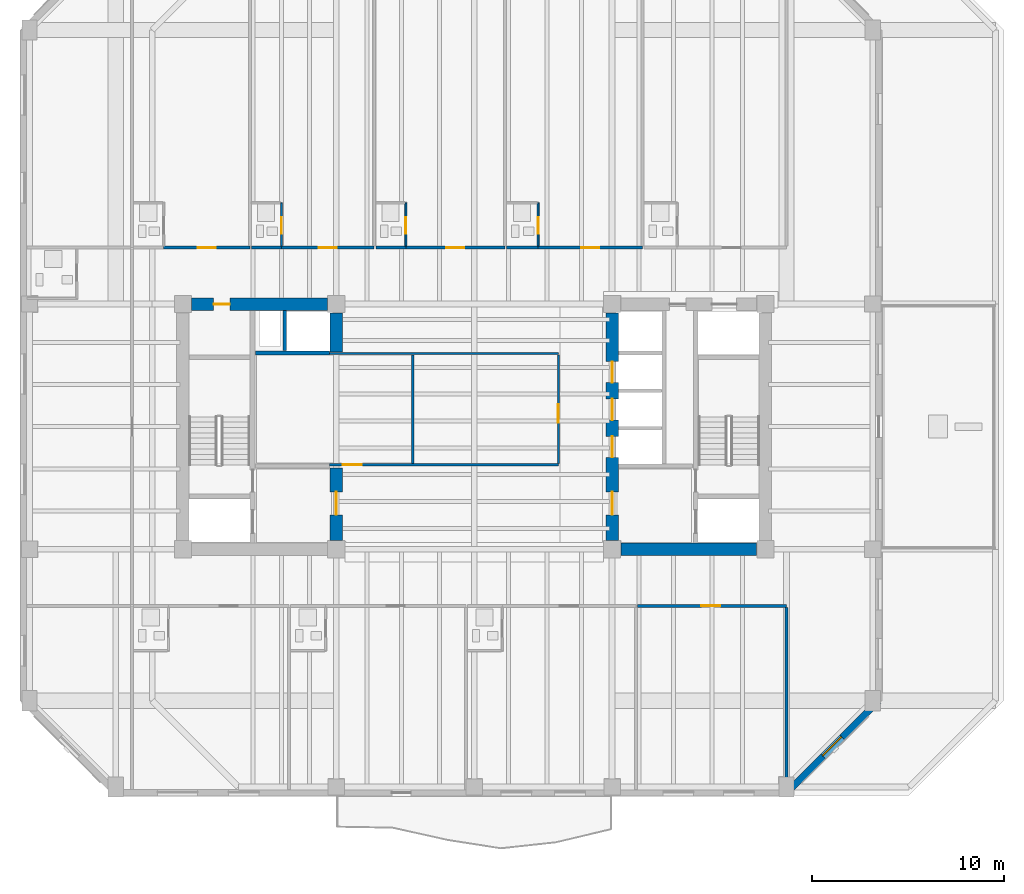
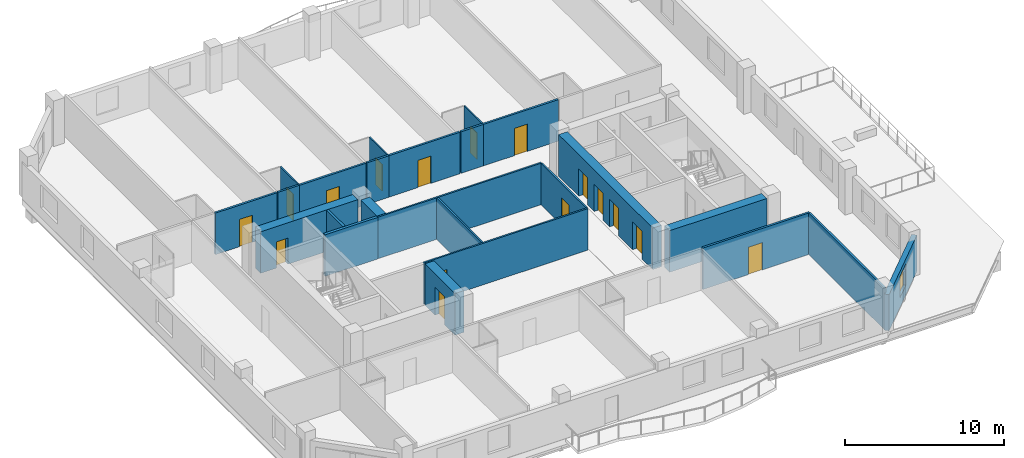
# One storey, part 4 of 11: 24 walls, 16 doors, 1 window, 17 openings.
"""IFC4 building model written with IfcOpenShell, lengths in metres."""

from ifc_helpers import new_model, si_unit, direction, frame, frame_2d, origin, place, context, subcontext, project, spatial, rectangle, extrude, material, layer, layer_set, type_object, element, fill, save


model = new_model("IFC4")

# Units and contexts
model_context = context("Model", 3, precision=1e-05, world=origin(), true_north=direction((0.0, 1.0)))
body_context = subcontext(model_context, "Body", "Model", "MODEL_VIEW")
ifc_project = project(units=[si_unit("LENGTHUNIT", "METRE"), si_unit("AREAUNIT", "SQUARE_METRE"), si_unit("VOLUMEUNIT", "CUBIC_METRE"), si_unit("PLANEANGLEUNIT", "RADIAN"), si_unit("MASSUNIT", "GRAM", prefix="KILO")], contexts=[model_context])

# Site, building, storey
site_placement = place(None, origin())
site = spatial("IfcSite", under=ifc_project, at=site_placement, CompositionType="ELEMENT")
building_placement = place(site_placement, origin())
building = spatial("IfcBuilding", under=site, at=building_placement, Name="Kranthara Brick Stack", CompositionType="ELEMENT")
storey_placement = place(building_placement, frame((0.0, 0.0, 183.300048828125)))
storey = spatial("IfcBuildingStorey", under=building, at=storey_placement, Name="L47", CompositionType="ELEMENT", Elevation=183.300048828125)

# Wall, opening, window
ifc_material_1 = material(Name="Kiln-fired clay brick masonry M15", Category="masonry")
ifc_layer_1 = layer(ifc_material_1, 0.35009765625)
ifc_layer_set_1 = layer_set([ifc_layer_1], Name="Kiln-fired clay brick masonry M15")
wall_type_1 = type_object("IfcWallType", Name="WL-BRK-SPND-350", PredefinedType="STANDARD", material=ifc_layer_set_1)
wall_1_placement = place(storey_placement, frame((49.10498046875, 12.89990234375, 0.0), z_axis=(0.0, 0.0, 1.0), x_axis=(-0.707106781187, -0.707106781187, 0.0)))
wall_1 = element("IfcWall", 1, at=wall_1_placement, inside=storey, type_object=wall_type_1, Name="L47 Exterior Brick Facade Wall SE 1", PredefinedType="STANDARD", context=body_context, shape_type="SweptSolid", body=[
    extrude(rectangle(XDim=6.795166015625, YDim=0.35009765625, at=frame_2d((3.3974609375, 0.0))), origin(), (0.0, 0.0, 1.0), 2.784912109375),
])
opening_1_placement = place(wall_1_placement, frame((2.697998046875, 0.0, 0.75)))
opening_1 = element("IfcOpeningElement", 2, at=opening_1_placement, cuts=wall_1, Name="Opening WN10", PredefinedType="OPENING", context=body_context, shape_type="SweptSolid", body=[
    extrude(rectangle(XDim=1.39990234375, YDim=1.64990234375, at=frame_2d((0.699951171875, 0.824951171875))), frame((0.0, 0.18505859375, 0.0), z_axis=(0.0, -1.0, 0.0), x_axis=(1.0, 0.0, 0.0)), (0.0, 0.0, 1.0), 0.3701171875),
])
ifc_material_2 = material(Name="Double-glazed low-E solar control glass", Category="glass")
window_type = type_object("IfcWindowType", Name="WN-CHM-1400x1750", PartitioningType="SINGLE_PANEL", PredefinedType="WINDOW", material=ifc_material_2)
window_placement = place(opening_1_placement, origin())
window = element("IfcWindow", 3, at=window_placement, inside=storey, type_object=window_type, Name="L47 SE Chamfer Corner Window", OverallHeight=1.64990234375, OverallWidth=1.39990234375, PartitioningType="SINGLE_PANEL", PredefinedType="WINDOW", context=body_context, shape_type="SweptSolid", body=[
    extrude(rectangle(XDim=1.39990234375, YDim=1.64990234375, at=frame_2d((0.699951171875, 0.824951171875))), frame((0.0, -0.010009765625, 0.0), z_axis=(0.0, -1.0, 0.0), x_axis=(1.0, 0.0, 0.0)), (0.0, 0.0, 1.0), 0.06005859375),
])
fill(opening_1, window)

# Wall, opening, door
ifc_material_3 = material(Name="Concrete C60/75", Category="concrete")
ifc_layer_2 = layer(ifc_material_3, 0.64990234375)
ifc_layer_set_2 = layer_set([ifc_layer_2], Name="Concrete C60/75")
wall_type_2 = type_object("IfcWallType", Name="WL-CORE-650", PredefinedType="SHEAR", material=ifc_layer_set_2)
wall_2_placement = place(storey_placement, frame((13.2548828125, 33.60009765625, 0.0), z_axis=(0.0, 0.0, 1.0), x_axis=(1.0, 0.0, 0.0)))
wall_2 = element("IfcWall", 4, at=wall_2_placement, inside=storey, type_object=wall_type_2, Name="L47 West Core Shear Wall North", PredefinedType="SHEAR", context=body_context, shape_type="SweptSolid", body=[
    extrude(rectangle(XDim=7.090087890625, YDim=0.64990234375, at=frame_2d((3.544921875, 0.0))), origin(), (0.0, 0.0, 1.0), 3.199951171875),
])
opening_2_placement = place(wall_2_placement, frame((1.14501953125, 0.0, 0.0)))
opening_2 = element("IfcOpeningElement", 5, at=opening_2_placement, cuts=wall_2, Name="Opening D10", PredefinedType="OPENING", context=body_context, shape_type="SweptSolid", body=[
    extrude(rectangle(XDim=0.85009765625, YDim=2.02001953125, at=frame_2d((0.425048828125, 1.010009765625))), frame((0.0, 0.3349609375, 0.0), z_axis=(0.0, -1.0, 0.0), x_axis=(1.0, 0.0, 0.0)), (0.0, 0.0, 1.0), 0.669921875),
])
ifc_material_4 = material(Name="Solid-core hardwood timber leaf in steel frame", Category="steel")
door_type_1 = type_object("IfcDoorType", Name="DR-RSR-850", OperationType="NOTDEFINED", PredefinedType="DOOR", material=ifc_material_4)
door_1_placement = place(opening_2_placement, origin())
door_1 = element("IfcDoor", 6, at=door_1_placement, inside=storey, type_object=door_type_1, Name="L47 West Core Service Door 1", OperationType="SINGLE_SWING_LEFT", OverallHeight=2.02001953125, OverallWidth=0.85009765625, PredefinedType="DOOR", context=body_context, shape_type="SweptSolid", body=[
    extrude(rectangle(XDim=0.85009765625, YDim=2.02001953125, at=frame_2d((0.425048828125, 1.010009765625))), frame((0.0, 0.02490234375, 0.0), z_axis=(0.0, -1.0, 0.0), x_axis=(1.0, 0.0, 0.0)), (0.0, 0.0, 1.0), 0.050048828125),
])
fill(opening_2, door_1)

wall_3_placement = place(storey_placement, frame((20.800048828125, 21.2548828125, 0.0), z_axis=(0.0, 0.0, 1.0), x_axis=(0.0, 1.0, 0.0)))
wall_3 = element("IfcWall", 7, at=wall_3_placement, inside=storey, type_object=wall_type_2, Name="L47 West Core Lobby Shear Wall", PredefinedType="SHEAR", context=body_context, shape_type="SweptSolid", body=[
    extrude(rectangle(XDim=3.795166015625, YDim=0.64990234375, at=frame_2d((1.8974609375, 0.0))), origin(), (0.0, 0.0, 1.0), 3.199951171875),
])
opening_3_placement = place(wall_3_placement, frame((1.344970703125, 0.0, 0.0)))
opening_3 = element("IfcOpeningElement", 8, at=opening_3_placement, cuts=wall_3, Name="Opening D06", PredefinedType="OPENING", context=body_context, shape_type="SweptSolid", body=[
    extrude(rectangle(XDim=1.199951171875, YDim=2.14990234375, at=frame_2d((0.60009765625, 1.074951171875))), frame((0.0, 0.3349609375, 0.0), z_axis=(0.0, -1.0, 0.0), x_axis=(1.0, 0.0, 0.0)), (0.0, 0.0, 1.0), 0.669921875),
])
ifc_material_5 = material(Name="Solid-core hardwood timber leaf in steel frame", Category="steel")
door_type_2 = type_object("IfcDoorType", Name="DR-FFL-1200", OperationType="NOTDEFINED", PredefinedType="DOOR", material=ifc_material_5)
door_2_placement = place(opening_3_placement, origin())
door_2 = element("IfcDoor", 9, at=door_2_placement, inside=storey, type_object=door_type_2, Name="L47 West Firefighting Lobby Door", OperationType="SINGLE_SWING_LEFT", OverallHeight=2.14990234375, OverallWidth=1.199951171875, PredefinedType="DOOR", context=body_context, shape_type="SweptSolid", body=[
    extrude(rectangle(XDim=1.199951171875, YDim=2.14990234375, at=frame_2d((0.60009765625, 1.074951171875))), frame((0.0, 0.02490234375, 0.0), z_axis=(0.0, -1.0, 0.0), x_axis=(1.0, 0.0, 0.0)), (0.0, 0.0, 1.0), 0.050048828125),
])
fill(opening_3, door_2)

# Walls
wall_4_placement = place(storey_placement, frame((20.800048828125, 31.10009765625, 0.0), z_axis=(0.0, 0.0, 1.0), x_axis=(0.0, 1.0, 0.0)))
element("IfcWall", 10, at=wall_4_placement, inside=storey, type_object=wall_type_2, Name="L47 West Core High-Rise Lift Wall", PredefinedType="SHEAR", context=body_context, shape_type="SweptSolid", body=[
    extrude(rectangle(XDim=2.044921875, YDim=0.64990234375, at=frame_2d((1.0224609375, 0.0))), origin(), (0.0, 0.0, 1.0), 3.199951171875),
])
wall_5_placement = place(storey_placement, frame((35.655029296875, 20.800048828125, 0.0), z_axis=(0.0, 0.0, 1.0), x_axis=(1.0, 0.0, 0.0)))
element("IfcWall", 11, at=wall_5_placement, inside=storey, type_object=wall_type_2, Name="L47 East Core Shear Wall South", PredefinedType="SHEAR", context=body_context, shape_type="SweptSolid", body=[
    extrude(rectangle(XDim=7.090087890625, YDim=0.64990234375, at=frame_2d((3.544921875, 0.0))), origin(), (0.0, 0.0, 1.0), 3.199951171875),
])

# Wall, openings, doors
wall_6_placement = place(storey_placement, frame((35.199951171875, 21.2548828125, 0.0), z_axis=(0.0, 0.0, 1.0), x_axis=(0.0, 1.0, 0.0)))
wall_6 = element("IfcWall", 12, at=wall_6_placement, inside=storey, type_object=wall_type_2, Name="L47 East Core Shear Wall West", PredefinedType="SHEAR", context=body_context, shape_type="SweptSolid", body=[
    extrude(rectangle(XDim=11.89013671875, YDim=0.64990234375, at=frame_2d((5.945068359375, 0.0))), origin(), (0.0, 0.0, 1.0), 3.199951171875),
])
opening_4_placement = place(wall_6_placement, frame((1.344970703125, 0.0, 0.0)))
opening_4 = element("IfcOpeningElement", 13, at=opening_4_placement, cuts=wall_6, Name="Opening D06", PredefinedType="OPENING", context=body_context, shape_type="SweptSolid", body=[
    extrude(rectangle(XDim=1.199951171875, YDim=2.14990234375, at=frame_2d((0.60009765625, 1.074951171875))), frame((0.0, 0.3349609375, 0.0), z_axis=(0.0, -1.0, 0.0), x_axis=(1.0, 0.0, 0.0)), (0.0, 0.0, 1.0), 0.669921875),
])
opening_5_placement = place(wall_6_placement, frame((4.344970703125, 0.0, 0.0)))
opening_5 = element("IfcOpeningElement", 14, at=opening_5_placement, cuts=wall_6, Name="Opening LD02", PredefinedType="OPENING", context=body_context, shape_type="SweptSolid", body=[
    extrude(rectangle(XDim=1.10009765625, YDim=2.10009765625, at=frame_2d((0.550048828125, 1.050048828125))), frame((0.0, 0.3349609375, 0.0), z_axis=(0.0, -1.0, 0.0), x_axis=(1.0, 0.0, 0.0)), (0.0, 0.0, 1.0), 0.669921875),
])
opening_6_placement = place(wall_6_placement, frame((6.294921875, 0.0, 0.0)))
opening_6 = element("IfcOpeningElement", 15, at=opening_6_placement, cuts=wall_6, Name="Opening LD02", PredefinedType="OPENING", context=body_context, shape_type="SweptSolid", body=[
    extrude(rectangle(XDim=1.10009765625, YDim=2.10009765625, at=frame_2d((0.550048828125, 1.050048828125))), frame((0.0, 0.3349609375, 0.0), z_axis=(0.0, -1.0, 0.0), x_axis=(1.0, 0.0, 0.0)), (0.0, 0.0, 1.0), 0.669921875),
])
opening_7_placement = place(wall_6_placement, frame((8.2451171875, 0.0, 0.0)))
opening_7 = element("IfcOpeningElement", 16, at=opening_7_placement, cuts=wall_6, Name="Opening LD02", PredefinedType="OPENING", context=body_context, shape_type="SweptSolid", body=[
    extrude(rectangle(XDim=1.10009765625, YDim=2.10009765625, at=frame_2d((0.550048828125, 1.050048828125))), frame((0.0, 0.3349609375, 0.0), z_axis=(0.0, -1.0, 0.0), x_axis=(1.0, 0.0, 0.0)), (0.0, 0.0, 1.0), 0.669921875),
])
door_3_placement = place(opening_4_placement, origin())
door_3 = element("IfcDoor", 17, at=door_3_placement, inside=storey, type_object=door_type_2, Name="L47 East Firefighting Lobby Door", OperationType="SINGLE_SWING_RIGHT", OverallHeight=2.14990234375, OverallWidth=1.199951171875, PredefinedType="DOOR", context=body_context, shape_type="SweptSolid", body=[
    extrude(rectangle(XDim=1.199951171875, YDim=2.14990234375, at=frame_2d((0.60009765625, 1.074951171875))), frame((0.0, 0.02490234375, 0.0), z_axis=(0.0, -1.0, 0.0), x_axis=(1.0, 0.0, 0.0)), (0.0, 0.0, 1.0), 0.050048828125),
])
fill(opening_4, door_3)
ifc_material_6 = material(Name="Stainless steel sliding landing door", Category="steel")
door_type_3 = type_object("IfcDoorType", Name="DR-LD-PL1100", OperationType="DOUBLE_DOOR_SLIDING", PredefinedType="DOOR", material=ifc_material_6)
door_4_placement = place(opening_5_placement, origin())
door_4 = element("IfcDoor", 18, at=door_4_placement, inside=storey, type_object=door_type_3, Name="L47 PL-04 Lift Landing Door", OperationType="DOUBLE_DOOR_SLIDING", OverallHeight=2.10009765625, OverallWidth=1.10009765625, PredefinedType="DOOR", context=body_context, shape_type="SweptSolid", body=[
    extrude(rectangle(XDim=1.10009765625, YDim=2.10009765625, at=frame_2d((0.550048828125, 1.050048828125))), frame((0.0, 0.02490234375, 0.0), z_axis=(0.0, -1.0, 0.0), x_axis=(1.0, 0.0, 0.0)), (0.0, 0.0, 1.0), 0.050048828125),
])
fill(opening_5, door_4)
door_5_placement = place(opening_6_placement, origin())
door_5 = element("IfcDoor", 19, at=door_5_placement, inside=storey, type_object=door_type_3, Name="L47 PL-05 Lift Landing Door", OperationType="DOUBLE_DOOR_SLIDING", OverallHeight=2.10009765625, OverallWidth=1.10009765625, PredefinedType="DOOR", context=body_context, shape_type="SweptSolid", body=[
    extrude(rectangle(XDim=1.10009765625, YDim=2.10009765625, at=frame_2d((0.550048828125, 1.050048828125))), frame((0.0, 0.02490234375, 0.0), z_axis=(0.0, -1.0, 0.0), x_axis=(1.0, 0.0, 0.0)), (0.0, 0.0, 1.0), 0.050048828125),
])
fill(opening_6, door_5)
door_6_placement = place(opening_7_placement, origin())
door_6 = element("IfcDoor", 20, at=door_6_placement, inside=storey, type_object=door_type_3, Name="L47 PL-06 Lift Landing Door", OperationType="DOUBLE_DOOR_SLIDING", OverallHeight=2.10009765625, OverallWidth=1.10009765625, PredefinedType="DOOR", context=body_context, shape_type="SweptSolid", body=[
    extrude(rectangle(XDim=1.10009765625, YDim=2.10009765625, at=frame_2d((0.550048828125, 1.050048828125))), frame((0.0, 0.02490234375, 0.0), z_axis=(0.0, -1.0, 0.0), x_axis=(1.0, 0.0, 0.0)), (0.0, 0.0, 1.0), 0.050048828125),
])
fill(opening_7, door_6)

# Wall, opening, door
ifc_material_7 = material(Name="Moisture-resistant wet-room partition", Category="other")
ifc_layer_3 = layer(ifc_material_7, 0.10009765625)
ifc_layer_set_3 = layer_set([ifc_layer_3], Name="Moisture-resistant wet-room partition")
wall_type_3 = type_object("IfcWallType", Name="WL-PART-100", PredefinedType="PARTITIONING", material=ifc_layer_set_3)
wall_7_placement = place(storey_placement, frame((17.947021484375, 36.6298828125, 0.0), z_axis=(0.0, 0.0, 1.0), x_axis=(0.0, 1.0, 0.0)))
wall_7 = element("IfcWall", 21, at=wall_7_placement, inside=storey, type_object=wall_type_3, Name="L47 Interior Partition 031", PredefinedType="PARTITIONING", context=body_context, shape_type="SweptSolid", body=[
    extrude(rectangle(XDim=2.25, YDim=0.10009765625, at=frame_2d((1.125, 0.0))), origin(), (0.0, 0.0, 1.0), 3.199951171875),
])
opening_8_placement = place(wall_7_placement, frame((0.639892578125, 0.0, 0.0)))
opening_8 = element("IfcOpeningElement", 22, at=opening_8_placement, cuts=wall_7, Name="Opening D17", PredefinedType="OPENING", context=body_context, shape_type="SweptSolid", body=[
    extrude(rectangle(XDim=0.85009765625, YDim=2.050048828125, at=frame_2d((0.425048828125, 1.02490234375))), frame((0.0, 0.06005859375, 0.0), z_axis=(0.0, -1.0, 0.0), x_axis=(1.0, 0.0, 0.0)), (0.0, 0.0, 1.0), 0.1201171875),
])
ifc_material_8 = material(Name="Solid-core hardwood timber leaf in steel frame", Category="steel")
door_type_4 = type_object("IfcDoorType", Name="DR-WET-850", OperationType="NOTDEFINED", PredefinedType="DOOR", material=ifc_material_8)
door_7_placement = place(opening_8_placement, origin())
door_7 = element("IfcDoor", 23, at=door_7_placement, inside=storey, type_object=door_type_4, Name="L47 Key 06 En-Suite Door 12", OperationType="SINGLE_SWING_RIGHT", OverallHeight=2.050048828125, OverallWidth=0.85009765625, PredefinedType="DOOR", context=body_context, shape_type="SweptSolid", body=[
    extrude(rectangle(XDim=0.85009765625, YDim=2.050048828125, at=frame_2d((0.425048828125, 1.02490234375))), frame((0.0, 0.02490234375, 0.0), z_axis=(0.0, -1.0, 0.0), x_axis=(1.0, 0.0, 0.0)), (0.0, 0.0, 1.0), 0.050048828125),
])
fill(opening_8, door_7)

wall_8_placement = place(storey_placement, frame((24.43505859375, 36.6298828125, 0.0), z_axis=(0.0, 0.0, 1.0), x_axis=(0.0, 1.0, 0.0)))
wall_8 = element("IfcWall", 24, at=wall_8_placement, inside=storey, type_object=wall_type_3, Name="L47 Interior Partition 036", PredefinedType="PARTITIONING", context=body_context, shape_type="SweptSolid", body=[
    extrude(rectangle(XDim=2.25, YDim=0.10009765625, at=frame_2d((1.125, 0.0))), origin(), (0.0, 0.0, 1.0), 3.199951171875),
])
opening_9_placement = place(wall_8_placement, frame((0.639892578125, 0.0, 0.0)))
opening_9 = element("IfcOpeningElement", 25, at=opening_9_placement, cuts=wall_8, Name="Opening D17", PredefinedType="OPENING", context=body_context, shape_type="SweptSolid", body=[
    extrude(rectangle(XDim=0.85009765625, YDim=2.050048828125, at=frame_2d((0.425048828125, 1.02490234375))), frame((0.0, 0.06005859375, 0.0), z_axis=(0.0, -1.0, 0.0), x_axis=(1.0, 0.0, 0.0)), (0.0, 0.0, 1.0), 0.1201171875),
])
door_8_placement = place(opening_9_placement, origin())
door_8 = element("IfcDoor", 26, at=door_8_placement, inside=storey, type_object=door_type_4, Name="L47 Key 07 En-Suite Door 14", OperationType="SINGLE_SWING_RIGHT", OverallHeight=2.050048828125, OverallWidth=0.85009765625, PredefinedType="DOOR", context=body_context, shape_type="SweptSolid", body=[
    extrude(rectangle(XDim=0.85009765625, YDim=2.050048828125, at=frame_2d((0.425048828125, 1.02490234375))), frame((0.0, 0.02490234375, 0.0), z_axis=(0.0, -1.0, 0.0), x_axis=(1.0, 0.0, 0.0)), (0.0, 0.0, 1.0), 0.050048828125),
])
fill(opening_9, door_8)

wall_9_placement = place(storey_placement, frame((31.336181640625, 36.6298828125, 0.0), z_axis=(0.0, 0.0, 1.0), x_axis=(0.0, 1.0, 0.0)))
wall_9 = element("IfcWall", 27, at=wall_9_placement, inside=storey, type_object=wall_type_3, Name="L47 Interior Partition 041", PredefinedType="PARTITIONING", context=body_context, shape_type="SweptSolid", body=[
    extrude(rectangle(XDim=2.25, YDim=0.10009765625, at=frame_2d((1.125, 0.0))), origin(), (0.0, 0.0, 1.0), 3.199951171875),
])
opening_10_placement = place(wall_9_placement, frame((0.639892578125, 0.0, 0.0)))
opening_10 = element("IfcOpeningElement", 28, at=opening_10_placement, cuts=wall_9, Name="Opening D17", PredefinedType="OPENING", context=body_context, shape_type="SweptSolid", body=[
    extrude(rectangle(XDim=0.85009765625, YDim=2.050048828125, at=frame_2d((0.425048828125, 1.02490234375))), frame((0.0, 0.06005859375, 0.0), z_axis=(0.0, -1.0, 0.0), x_axis=(1.0, 0.0, 0.0)), (0.0, 0.0, 1.0), 0.1201171875),
])
door_9_placement = place(opening_10_placement, origin())
door_9 = element("IfcDoor", 29, at=door_9_placement, inside=storey, type_object=door_type_4, Name="L47 Key 08 En-Suite Door 16", OperationType="SINGLE_SWING_RIGHT", OverallHeight=2.050048828125, OverallWidth=0.85009765625, PredefinedType="DOOR", context=body_context, shape_type="SweptSolid", body=[
    extrude(rectangle(XDim=0.85009765625, YDim=2.050048828125, at=frame_2d((0.425048828125, 1.02490234375))), frame((0.0, 0.02490234375, 0.0), z_axis=(0.0, -1.0, 0.0), x_axis=(1.0, 0.0, 0.0)), (0.0, 0.0, 1.0), 0.050048828125),
])
fill(opening_10, door_9)

ifc_material_9 = material(Name="Acoustic gypsum plasterboard partition", Category="other")
ifc_layer_4 = layer(ifc_material_9, 0.1201171875)
ifc_layer_set_4 = layer_set([ifc_layer_4], Name="Acoustic gypsum plasterboard partition")
wall_type_4 = type_object("IfcWallType", Name="WL-PART-120", PredefinedType="PARTITIONING", material=ifc_layer_set_4)
wall_10_placement = place(storey_placement, frame((20.4599609375, 25.219970703125, 0.0), z_axis=(0.0, 0.0, 1.0), x_axis=(1.0, 0.0, 0.0)))
wall_10 = element("IfcWall", 30, at=wall_10_placement, inside=storey, type_object=wall_type_4, Name="L47 Interior Partition 001", PredefinedType="PARTITIONING", context=body_context, shape_type="SweptSolid", body=[
    extrude(rectangle(XDim=11.93994140625, YDim=0.1201171875, at=frame_2d((5.969970703125, 0.0))), origin(), (0.0, 0.0, 1.0), 3.199951171875),
])
opening_11_placement = place(wall_10_placement, frame((0.679931640625, 0.0, 0.0)))
opening_11 = element("IfcOpeningElement", 31, at=opening_11_placement, cuts=wall_10, Name="Opening D13", PredefinedType="OPENING", context=body_context, shape_type="SweptSolid", body=[
    extrude(rectangle(XDim=1.0, YDim=2.10009765625, at=frame_2d((0.5, 1.050048828125))), frame((0.0, 0.070068359375, 0.0), z_axis=(0.0, -1.0, 0.0), x_axis=(1.0, 0.0, 0.0)), (0.0, 0.0, 1.0), 0.14013671875),
])
ifc_material_10 = material(Name="Solid-core hardwood timber leaf in steel frame", Category="steel")
door_type_5 = type_object("IfcDoorType", Name="DR-INT-1000", OperationType="NOTDEFINED", PredefinedType="DOOR", material=ifc_material_10)
door_10_placement = place(opening_11_placement, origin())
door_10 = element("IfcDoor", 32, at=door_10_placement, inside=storey, type_object=door_type_5, Name="L47 Hotel Club Lounge Door 01", OperationType="SINGLE_SWING_LEFT", OverallHeight=2.10009765625, OverallWidth=1.0, PredefinedType="DOOR", context=body_context, shape_type="SweptSolid", body=[
    extrude(rectangle(XDim=1.0, YDim=2.10009765625, at=frame_2d((0.5, 1.050048828125))), frame((0.0, 0.02490234375, 0.0), z_axis=(0.0, -1.0, 0.0), x_axis=(1.0, 0.0, 0.0)), (0.0, 0.0, 1.0), 0.050048828125),
])
fill(opening_11, door_10)

# Wall
wall_11_placement = place(storey_placement, frame((20.4599609375, 31.02001953125, 0.0), z_axis=(0.0, 0.0, 1.0), x_axis=(1.0, 0.0, 0.0)))
element("IfcWall", 33, at=wall_11_placement, inside=storey, type_object=wall_type_4, Name="L47 Interior Partition 002", PredefinedType="PARTITIONING", context=body_context, shape_type="SweptSolid", body=[
    extrude(rectangle(XDim=11.93994140625, YDim=0.1201171875, at=frame_2d((5.969970703125, 0.0))), origin(), (0.0, 0.0, 1.0), 3.199951171875),
])

# Wall, opening, door
wall_12_placement = place(storey_placement, frame((32.39990234375, 25.284912109375, 0.0), z_axis=(0.0, 0.0, 1.0), x_axis=(0.0, 1.0, 0.0)))
wall_12 = element("IfcWall", 34, at=wall_12_placement, inside=storey, type_object=wall_type_4, Name="L47 Interior Partition 003", PredefinedType="PARTITIONING", context=body_context, shape_type="SweptSolid", body=[
    extrude(rectangle(XDim=5.670166015625, YDim=0.1201171875, at=frame_2d((2.8349609375, 0.0))), origin(), (0.0, 0.0, 1.0), 3.199951171875),
])
opening_12_placement = place(wall_12_placement, frame((2.135009765625, 0.0, 0.0)))
opening_12 = element("IfcOpeningElement", 35, at=opening_12_placement, cuts=wall_12, Name="Opening D14", PredefinedType="OPENING", context=body_context, shape_type="SweptSolid", body=[
    extrude(rectangle(XDim=0.949951171875, YDim=2.10009765625, at=frame_2d((0.47509765625, 1.050048828125))), frame((0.0, 0.070068359375, 0.0), z_axis=(0.0, -1.0, 0.0), x_axis=(1.0, 0.0, 0.0)), (0.0, 0.0, 1.0), 0.14013671875),
])
ifc_material_11 = material(Name="Solid-core hardwood timber leaf in steel frame", Category="steel")
door_type_6 = type_object("IfcDoorType", Name="DR-INT-950", OperationType="NOTDEFINED", PredefinedType="DOOR", material=ifc_material_11)
door_11_placement = place(opening_12_placement, origin())
door_11 = element("IfcDoor", 36, at=door_11_placement, inside=storey, type_object=door_type_6, Name="L47 Housekeeping Linen Door 02", OperationType="SINGLE_SWING_RIGHT", OverallHeight=2.10009765625, OverallWidth=0.949951171875, PredefinedType="DOOR", context=body_context, shape_type="SweptSolid", body=[
    extrude(rectangle(XDim=0.949951171875, YDim=2.10009765625, at=frame_2d((0.47509765625, 1.050048828125))), frame((0.0, 0.02490234375, 0.0), z_axis=(0.0, -1.0, 0.0), x_axis=(1.0, 0.0, 0.0)), (0.0, 0.0, 1.0), 0.050048828125),
])
fill(opening_12, door_11)

# Wall
wall_13_placement = place(storey_placement, frame((24.800048828125, 25.284912109375, 0.0), z_axis=(0.0, 0.0, 1.0), x_axis=(0.0, 1.0, 0.0)))
element("IfcWall", 37, at=wall_13_placement, inside=storey, type_object=wall_type_4, Name="L47 Interior Partition 004", PredefinedType="PARTITIONING", context=body_context, shape_type="SweptSolid", body=[
    extrude(rectangle(XDim=5.670166015625, YDim=0.1201171875, at=frame_2d((2.8349609375, 0.0))), origin(), (0.0, 0.0, 1.0), 3.199951171875),
])

# Wall, opening, door
ifc_material_12 = material(Name="Fire-rated gypsum board partition", Category="other")
ifc_layer_5 = layer(ifc_material_12, 0.14990234375)
ifc_layer_set_5 = layer_set([ifc_layer_5], Name="Fire-rated gypsum board partition")
wall_type_5 = type_object("IfcWallType", Name="WL-PART-150", PredefinedType="PARTITIONING", material=ifc_layer_set_5)
wall_14_placement = place(storey_placement, frame((36.52587890625, 17.85009765625, 0.0), z_axis=(0.0, 0.0, 1.0), x_axis=(1.0, 0.0, 0.0)))
wall_14 = element("IfcWall", 38, at=wall_14_placement, inside=storey, type_object=wall_type_5, Name="L47 Interior Partition 021", PredefinedType="PARTITIONING", context=body_context, shape_type="SweptSolid", body=[
    extrude(rectangle(XDim=7.774169921875, YDim=0.14990234375, at=frame_2d((3.88720703125, 0.0))), origin(), (0.0, 0.0, 1.0), 3.199951171875),
])
opening_13_placement = place(wall_14_placement, frame((3.326904296875, 0.0, 0.0)))
opening_13 = element("IfcOpeningElement", 39, at=opening_13_placement, cuts=wall_14, Name="Opening D08", PredefinedType="OPENING", context=body_context, shape_type="SweptSolid", body=[
    extrude(rectangle(XDim=1.0, YDim=2.10009765625, at=frame_2d((0.5, 1.050048828125))), frame((0.0, 0.0849609375, 0.0), z_axis=(0.0, -1.0, 0.0), x_axis=(1.0, 0.0, 0.0)), (0.0, 0.0, 1.0), 0.169921875),
])
ifc_material_13 = material(Name="Solid-core hardwood timber leaf in steel frame", Category="steel")
door_type_7 = type_object("IfcDoorType", Name="DR-FD-1000", OperationType="NOTDEFINED", PredefinedType="DOOR", material=ifc_material_13)
door_12_placement = place(opening_13_placement, origin())
door_12 = element("IfcDoor", 40, at=door_12_placement, inside=storey, type_object=door_type_7, Name="L47 Guest Lounge 09", OperationType="SINGLE_SWING_LEFT", OverallHeight=2.10009765625, OverallWidth=1.0, PredefinedType="DOOR", context=body_context, shape_type="SweptSolid", body=[
    extrude(rectangle(XDim=1.0, YDim=2.10009765625, at=frame_2d((0.5, 1.050048828125))), frame((0.0, 0.02490234375, 0.0), z_axis=(0.0, -1.0, 0.0), x_axis=(1.0, 0.0, 0.0)), (0.0, 0.0, 1.0), 0.050048828125),
])
fill(opening_13, door_12)

# Wall
wall_15_placement = place(storey_placement, frame((44.300048828125, 8.27490234375, 0.0), z_axis=(0.0, 0.0, 1.0), x_axis=(0.0, 1.0, 0.0)))
element("IfcWall", 41, at=wall_15_placement, inside=storey, type_object=wall_type_5, Name="L47 Interior Partition 022", PredefinedType="PARTITIONING", context=body_context, shape_type="SweptSolid", body=[
    extrude(rectangle(XDim=9.4951171875, YDim=0.14990234375, at=frame_2d((4.74755859375, 0.0))), origin(), (0.0, 0.0, 1.0), 3.199951171875),
])

# Wall, opening, door
wall_16_placement = place(storey_placement, frame((11.800048828125, 36.550048828125, 0.0), z_axis=(0.0, 0.0, 1.0), x_axis=(1.0, 0.0, 0.0)))
wall_16 = element("IfcWall", 42, at=wall_16_placement, inside=storey, type_object=wall_type_5, Name="L47 Interior Partition 025", PredefinedType="PARTITIONING", context=body_context, shape_type="SweptSolid", body=[
    extrude(rectangle(XDim=4.4970703125, YDim=0.14990234375, at=frame_2d((2.24853515625, 0.0))), origin(), (0.0, 0.0, 1.0), 3.199951171875),
])
opening_14_placement = place(wall_16_placement, frame((1.76806640625, 0.0, 0.0)))
opening_14 = element("IfcOpeningElement", 43, at=opening_14_placement, cuts=wall_16, Name="Opening D09", PredefinedType="OPENING", context=body_context, shape_type="SweptSolid", body=[
    extrude(rectangle(XDim=0.949951171875, YDim=2.10009765625, at=frame_2d((0.47509765625, 1.050048828125))), frame((0.0, 0.0849609375, 0.0), z_axis=(0.0, -1.0, 0.0), x_axis=(1.0, 0.0, 0.0)), (0.0, 0.0, 1.0), 0.169921875),
])
ifc_material_14 = material(Name="Solid-core hardwood timber leaf in steel frame", Category="steel")
door_type_8 = type_object("IfcDoorType", Name="DR-FD-950", OperationType="NOTDEFINED", PredefinedType="DOOR", material=ifc_material_14)
door_13_placement = place(opening_14_placement, origin())
door_13 = element("IfcDoor", 44, at=door_13_placement, inside=storey, type_object=door_type_8, Name="L47 Key 05 Entry 11", OperationType="SINGLE_SWING_LEFT", OverallHeight=2.10009765625, OverallWidth=0.949951171875, PredefinedType="DOOR", context=body_context, shape_type="SweptSolid", body=[
    extrude(rectangle(XDim=0.949951171875, YDim=2.10009765625, at=frame_2d((0.47509765625, 1.050048828125))), frame((0.0, 0.02490234375, 0.0), z_axis=(0.0, -1.0, 0.0), x_axis=(1.0, 0.0, 0.0)), (0.0, 0.0, 1.0), 0.050048828125),
])
fill(opening_14, door_13)

# Wall
wall_17_placement = place(storey_placement, frame((16.376953125, 36.550048828125, 0.0), z_axis=(0.0, 0.0, 1.0), x_axis=(1.0, 0.0, 0.0)))
element("IfcWall", 45, at=wall_17_placement, inside=storey, type_object=wall_type_5, Name="L47 Interior Partition 029", PredefinedType="PARTITIONING", context=body_context, shape_type="SweptSolid", body=[
    extrude(rectangle(XDim=1.570068359375, YDim=0.14990234375, at=frame_2d((0.78515625, 0.0))), origin(), (0.0, 0.0, 1.0), 3.199951171875),
])

# Wall, opening, door
wall_18_placement = place(storey_placement, frame((17.947021484375, 36.550048828125, 0.0), z_axis=(0.0, 0.0, 1.0), x_axis=(1.0, 0.0, 0.0)))
wall_18 = element("IfcWall", 46, at=wall_18_placement, inside=storey, type_object=wall_type_5, Name="L47 Interior Partition 030", PredefinedType="PARTITIONING", context=body_context, shape_type="SweptSolid", body=[
    extrude(rectangle(XDim=4.837890625, YDim=0.14990234375, at=frame_2d((2.4189453125, 0.0))), origin(), (0.0, 0.0, 1.0), 3.199951171875),
])
opening_15_placement = place(wall_18_placement, frame((1.93896484375, 0.0, 0.0)))
opening_15 = element("IfcOpeningElement", 47, at=opening_15_placement, cuts=wall_18, Name="Opening D09", PredefinedType="OPENING", context=body_context, shape_type="SweptSolid", body=[
    extrude(rectangle(XDim=0.949951171875, YDim=2.10009765625, at=frame_2d((0.47509765625, 1.050048828125))), frame((0.0, 0.0849609375, 0.0), z_axis=(0.0, -1.0, 0.0), x_axis=(1.0, 0.0, 0.0)), (0.0, 0.0, 1.0), 0.169921875),
])
door_14_placement = place(opening_15_placement, origin())
door_14 = element("IfcDoor", 48, at=door_14_placement, inside=storey, type_object=door_type_8, Name="L47 Key 06 Entry 13", OperationType="SINGLE_SWING_LEFT", OverallHeight=2.10009765625, OverallWidth=0.949951171875, PredefinedType="DOOR", context=body_context, shape_type="SweptSolid", body=[
    extrude(rectangle(XDim=0.949951171875, YDim=2.10009765625, at=frame_2d((0.47509765625, 1.050048828125))), frame((0.0, 0.02490234375, 0.0), z_axis=(0.0, -1.0, 0.0), x_axis=(1.0, 0.0, 0.0)), (0.0, 0.0, 1.0), 0.050048828125),
])
fill(opening_15, door_14)

# Wall
wall_19_placement = place(storey_placement, frame((22.864990234375, 36.550048828125, 0.0), z_axis=(0.0, 0.0, 1.0), x_axis=(1.0, 0.0, 0.0)))
element("IfcWall", 49, at=wall_19_placement, inside=storey, type_object=wall_type_5, Name="L47 Interior Partition 034", PredefinedType="PARTITIONING", context=body_context, shape_type="SweptSolid", body=[
    extrude(rectangle(XDim=1.570068359375, YDim=0.14990234375, at=frame_2d((0.78515625, 0.0))), origin(), (0.0, 0.0, 1.0), 3.199951171875),
])

# Wall, opening, door
wall_20_placement = place(storey_placement, frame((24.43505859375, 36.550048828125, 0.0), z_axis=(0.0, 0.0, 1.0), x_axis=(1.0, 0.0, 0.0)))
wall_20 = element("IfcWall", 50, at=wall_20_placement, inside=storey, type_object=wall_type_5, Name="L47 Interior Partition 035", PredefinedType="PARTITIONING", context=body_context, shape_type="SweptSolid", body=[
    extrude(rectangle(XDim=5.179931640625, YDim=0.14990234375, at=frame_2d((2.58984375, 0.0))), origin(), (0.0, 0.0, 1.0), 3.199951171875),
])
opening_16_placement = place(wall_20_placement, frame((2.110107421875, 0.0, 0.0)))
opening_16 = element("IfcOpeningElement", 51, at=opening_16_placement, cuts=wall_20, Name="Opening D09", PredefinedType="OPENING", context=body_context, shape_type="SweptSolid", body=[
    extrude(rectangle(XDim=0.949951171875, YDim=2.10009765625, at=frame_2d((0.47509765625, 1.050048828125))), frame((0.0, 0.0849609375, 0.0), z_axis=(0.0, -1.0, 0.0), x_axis=(1.0, 0.0, 0.0)), (0.0, 0.0, 1.0), 0.169921875),
])
door_15_placement = place(opening_16_placement, origin())
door_15 = element("IfcDoor", 52, at=door_15_placement, inside=storey, type_object=door_type_8, Name="L47 Key 07 Entry 15", OperationType="SINGLE_SWING_LEFT", OverallHeight=2.10009765625, OverallWidth=0.949951171875, PredefinedType="DOOR", context=body_context, shape_type="SweptSolid", body=[
    extrude(rectangle(XDim=0.949951171875, YDim=2.10009765625, at=frame_2d((0.47509765625, 1.050048828125))), frame((0.0, 0.02490234375, 0.0), z_axis=(0.0, -1.0, 0.0), x_axis=(1.0, 0.0, 0.0)), (0.0, 0.0, 1.0), 0.050048828125),
])
fill(opening_16, door_15)

# Wall
wall_21_placement = place(storey_placement, frame((29.695068359375, 36.550048828125, 0.0), z_axis=(0.0, 0.0, 1.0), x_axis=(1.0, 0.0, 0.0)))
element("IfcWall", 53, at=wall_21_placement, inside=storey, type_object=wall_type_5, Name="L47 Interior Partition 039", PredefinedType="PARTITIONING", context=body_context, shape_type="SweptSolid", body=[
    extrude(rectangle(XDim=1.64111328125, YDim=0.14990234375, at=frame_2d((0.820556640625, 0.0))), origin(), (0.0, 0.0, 1.0), 3.199951171875),
])

# Wall, opening, door
wall_22_placement = place(storey_placement, frame((31.336181640625, 36.550048828125, 0.0), z_axis=(0.0, 0.0, 1.0), x_axis=(1.0, 0.0, 0.0)))
wall_22 = element("IfcWall", 54, at=wall_22_placement, inside=storey, type_object=wall_type_5, Name="L47 Interior Partition 040", PredefinedType="PARTITIONING", context=body_context, shape_type="SweptSolid", body=[
    extrude(rectangle(XDim=5.450927734375, YDim=0.14990234375, at=frame_2d((2.7255859375, 0.0))), origin(), (0.0, 0.0, 1.0), 3.199951171875),
])
opening_17_placement = place(wall_22_placement, frame((2.2451171875, 0.0, 0.0)))
opening_17 = element("IfcOpeningElement", 55, at=opening_17_placement, cuts=wall_22, Name="Opening D09", PredefinedType="OPENING", context=body_context, shape_type="SweptSolid", body=[
    extrude(rectangle(XDim=0.949951171875, YDim=2.10009765625, at=frame_2d((0.47509765625, 1.050048828125))), frame((0.0, 0.0849609375, 0.0), z_axis=(0.0, -1.0, 0.0), x_axis=(1.0, 0.0, 0.0)), (0.0, 0.0, 1.0), 0.169921875),
])
door_16_placement = place(opening_17_placement, origin())
door_16 = element("IfcDoor", 56, at=door_16_placement, inside=storey, type_object=door_type_8, Name="L47 Key 08 Entry 17", OperationType="SINGLE_SWING_LEFT", OverallHeight=2.10009765625, OverallWidth=0.949951171875, PredefinedType="DOOR", context=body_context, shape_type="SweptSolid", body=[
    extrude(rectangle(XDim=0.949951171875, YDim=2.10009765625, at=frame_2d((0.47509765625, 1.050048828125))), frame((0.0, 0.02490234375, 0.0), z_axis=(0.0, -1.0, 0.0), x_axis=(1.0, 0.0, 0.0)), (0.0, 0.0, 1.0), 0.050048828125),
])
fill(opening_17, door_16)

# Walls
ifc_material_15 = material(Name="Gypsum plasterboard on acoustic twin stud", Category="other")
ifc_layer_6 = layer(ifc_material_15, 0.179931640625)
ifc_layer_set_6 = layer_set([ifc_layer_6], Name="Gypsum plasterboard on acoustic twin stud")
wall_type_6 = type_object("IfcWallType", Name="WL-PART-180", PredefinedType="PARTITIONING", material=ifc_layer_set_6)
wall_23_placement = place(storey_placement, frame((18.1201171875, 31.169921875, 0.0), z_axis=(0.0, 0.0, 1.0), x_axis=(0.0, 1.0, 0.0)))
element("IfcWall", 57, at=wall_23_placement, inside=storey, type_object=wall_type_6, Name="L47 PL-07 Shaft Back Wall", PredefinedType="PARTITIONING", context=body_context, shape_type="SweptSolid", body=[
    extrude(rectangle(XDim=2.094970703125, YDim=0.179931640625, at=frame_2d((1.04736328125, 0.0))), origin(), (0.0, 0.0, 1.0), 3.199951171875),
])
ifc_material_16 = material(Name="Concrete C40/50", Category="concrete")
ifc_layer_7 = layer(ifc_material_16, 0.199951171875)
ifc_layer_set_7 = layer_set([ifc_layer_7], Name="Concrete C40/50")
wall_type_7 = type_object("IfcWallType", Name="WL-PART-200", PredefinedType="SOLIDWALL", material=ifc_layer_set_7)
wall_24_placement = place(storey_placement, frame((16.60009765625, 31.050048828125, 0.0), z_axis=(0.0, 0.0, 1.0), x_axis=(1.0, 0.0, 0.0)))
element("IfcWall", 58, at=wall_24_placement, inside=storey, type_object=wall_type_7, Name="L47 West Core Cross Wall WH4", PredefinedType="SOLIDWALL", context=body_context, shape_type="SweptSolid", body=[
    extrude(rectangle(XDim=3.849853515625, YDim=0.199951171875, at=frame_2d((1.9248046875, 0.0))), origin(), (0.0, 0.0, 1.0), 3.199951171875),
])

save(model, "model.ifc")
